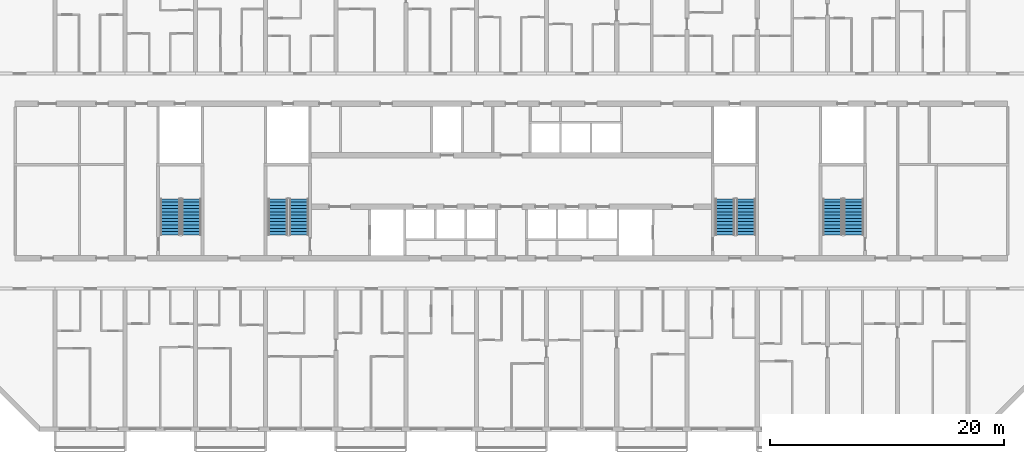
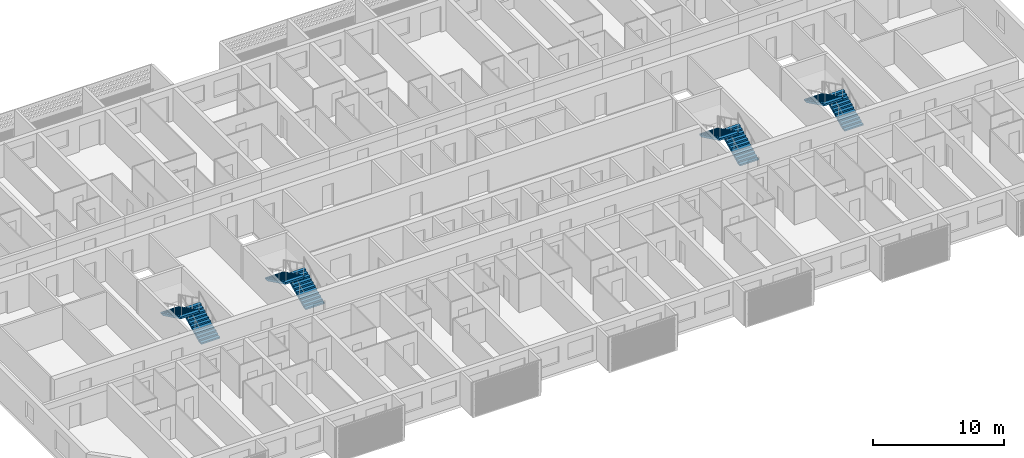
# One storey, part 17 of 28: 8 stair flights, 4 elements without a shape of their own.
"""IFC4 building model written with IfcOpenShell, lengths in metres."""

from ifc_helpers import new_model, si_unit, direction, frame, origin, place, context, subcontext, project, spatial, polyline, outline, extrude, material, layer, layer_set, type_object, element, aggregate, save


model = new_model("IFC4")

# Units and contexts
model_context = context("Model", 3, precision=1e-05, world=origin(), true_north=direction((0.0, 1.0)))
body_context = subcontext(model_context, "Body", "Model", "MODEL_VIEW")
ifc_project = project(units=[si_unit("LENGTHUNIT", "METRE"), si_unit("AREAUNIT", "SQUARE_METRE"), si_unit("VOLUMEUNIT", "CUBIC_METRE"), si_unit("PLANEANGLEUNIT", "RADIAN"), si_unit("MASSUNIT", "GRAM", prefix="KILO")], contexts=[model_context])

# Site, building, storey
site_placement = place(None, origin())
site = spatial("IfcSite", under=ifc_project, at=site_placement, CompositionType="ELEMENT")
building_placement = place(site_placement, origin())
building = spatial("IfcBuilding", under=site, at=building_placement, Name="Poui Terraces", CompositionType="ELEMENT")
storey_placement = place(building_placement, frame((0.0, 0.0, 72.89990234375)))
storey = spatial("IfcBuildingStorey", under=building, at=storey_placement, Name="L19", CompositionType="ELEMENT", Elevation=72.89990234375)

# Stair, stair flights
ifc_material = material(Name="Concrete 65 MPa", Category="concrete")
stair_type = type_object("IfcStairType", Name="EXIT STAIR 1650 65 MPA", PredefinedType="HALF_TURN_STAIR", material=ifc_material)
stair_1_placement = place(storey_placement, origin())
stair_1 = element("IfcStair", 1, at=stair_1_placement, inside=storey, type_object=stair_type, Name="L19 CORE STAIR EAST", PredefinedType="HALF_TURN_STAIR")
ifc_layer = layer(ifc_material, 0.14990234375)
ifc_layer_set = layer_set([ifc_layer], Name="Concrete 65 MPa")
stair_flight_type = type_object("IfcStairFlightType", Name="STAIR FLIGHT 12 RISERS 138 RISE 65 MPA", PredefinedType="STRAIGHT", material=ifc_layer_set)
stair_flight_1_placement = place(storey_placement, frame((71.050048828125, 16.60009765625, 0.0), z_axis=(0.0, 0.0, 1.0), x_axis=(0.0, 1.0, 0.0)))
stair_flight_1 = element("IfcStairFlight", 2, at=stair_flight_1_placement, type_object=stair_flight_type, Name="ST-CE flight 1", NumberOfRisers=12, NumberOfTreads=11, PredefinedType="STRAIGHT", RiserHeight=0.1375, TreadLength=0.28, context=body_context, shape_type="SweptSolid", body=[
    extrude(outline(polyline([(0.0, 0.0), (0.0, 0.137451171875), (0.280029296875, 0.137451171875), (0.280029296875, 0.27490234375), (0.56005859375, 0.27490234375), (0.56005859375, 0.41259765625), (0.840087890625, 0.41259765625), (0.840087890625, 0.550048828125), (1.1201171875, 0.550048828125), (1.1201171875, 0.6875), (1.39990234375, 0.6875), (1.39990234375, 0.824951171875), (1.679931640625, 0.824951171875), (1.679931640625, 0.96240234375), (1.9599609375, 0.96240234375), (1.9599609375, 1.10009765625), (2.239990234375, 1.10009765625), (2.239990234375, 1.237548828125), (2.52001953125, 1.237548828125), (2.52001953125, 1.375), (2.800048828125, 1.375), (2.800048828125, 1.512451171875), (3.080078125, 1.512451171875), (3.080078125, 1.64990234375), (3.080078125, 1.345458984375), (0.340087890625, 0.0), (0.0, 0.0)])), frame((0.0, 0.824951171875, 0.0), z_axis=(0.0, -1.0, 0.0), x_axis=(1.0, 0.0, 0.0)), (0.0, 0.0, 1.0), 1.64990234375),
])
stair_flight_2_placement = place(storey_placement, frame((69.25, 19.679931640625, 1.650146484375), z_axis=(0.0, 0.0, 1.0), x_axis=(0.0, -1.0, 0.0)))
stair_flight_2 = element("IfcStairFlight", 3, at=stair_flight_2_placement, type_object=stair_flight_type, Name="ST-CE flight 2", NumberOfRisers=12, NumberOfTreads=11, PredefinedType="STRAIGHT", RiserHeight=0.1375, TreadLength=0.28, context=body_context, shape_type="SweptSolid", body=[
    extrude(outline(polyline([(0.0, 0.0), (0.0, 0.137451171875), (0.280029296875, 0.137451171875), (0.280029296875, 0.27490234375), (0.56005859375, 0.27490234375), (0.56005859375, 0.41259765625), (0.840087890625, 0.41259765625), (0.840087890625, 0.550048828125), (1.1201171875, 0.550048828125), (1.1201171875, 0.6875), (1.39990234375, 0.6875), (1.39990234375, 0.824951171875), (1.679931640625, 0.824951171875), (1.679931640625, 0.96240234375), (1.9599609375, 0.96240234375), (1.9599609375, 1.10009765625), (2.239990234375, 1.10009765625), (2.239990234375, 1.237548828125), (2.52001953125, 1.237548828125), (2.52001953125, 1.375), (2.800048828125, 1.375), (2.800048828125, 1.512451171875), (3.080078125, 1.512451171875), (3.080078125, 1.64990234375), (3.080078125, 1.345458984375), (0.340087890625, 0.0), (0.0, 0.0)])), frame((0.0, 0.824951171875, 0.0), z_axis=(0.0, -1.0, 0.0), x_axis=(1.0, 0.0, 0.0)), (0.0, 0.0, 1.0), 1.64990234375),
])
aggregate(stair_1, [stair_flight_1, stair_flight_2])

stair_2_placement = place(storey_placement, origin())
stair_2 = element("IfcStair", 4, at=stair_2_placement, inside=storey, type_object=stair_type, Name="L19 CORE STAIR WEST", PredefinedType="HALF_TURN_STAIR")
stair_flight_3_placement = place(storey_placement, frame((32.85009765625, 16.60009765625, 0.0), z_axis=(0.0, 0.0, 1.0), x_axis=(0.0, 1.0, 0.0)))
stair_flight_3 = element("IfcStairFlight", 5, at=stair_flight_3_placement, type_object=stair_flight_type, Name="ST-CW flight 1", NumberOfRisers=12, NumberOfTreads=11, PredefinedType="STRAIGHT", RiserHeight=0.1375, TreadLength=0.28, context=body_context, shape_type="SweptSolid", body=[
    extrude(outline(polyline([(0.0, 0.0), (0.0, 0.137451171875), (0.280029296875, 0.137451171875), (0.280029296875, 0.27490234375), (0.56005859375, 0.27490234375), (0.56005859375, 0.41259765625), (0.840087890625, 0.41259765625), (0.840087890625, 0.550048828125), (1.1201171875, 0.550048828125), (1.1201171875, 0.6875), (1.39990234375, 0.6875), (1.39990234375, 0.824951171875), (1.679931640625, 0.824951171875), (1.679931640625, 0.96240234375), (1.9599609375, 0.96240234375), (1.9599609375, 1.10009765625), (2.239990234375, 1.10009765625), (2.239990234375, 1.237548828125), (2.52001953125, 1.237548828125), (2.52001953125, 1.375), (2.800048828125, 1.375), (2.800048828125, 1.512451171875), (3.080078125, 1.512451171875), (3.080078125, 1.64990234375), (3.080078125, 1.345458984375), (0.340087890625, 0.0), (0.0, 0.0)])), frame((0.0, 0.824951171875, 0.0), z_axis=(0.0, -1.0, 0.0), x_axis=(1.0, 0.0, 0.0)), (0.0, 0.0, 1.0), 1.64990234375),
])
stair_flight_4_placement = place(storey_placement, frame((31.050048828125, 19.679931640625, 1.650146484375), z_axis=(0.0, 0.0, 1.0), x_axis=(0.0, -1.0, 0.0)))
stair_flight_4 = element("IfcStairFlight", 6, at=stair_flight_4_placement, type_object=stair_flight_type, Name="ST-CW flight 2", NumberOfRisers=12, NumberOfTreads=11, PredefinedType="STRAIGHT", RiserHeight=0.1375, TreadLength=0.28, context=body_context, shape_type="SweptSolid", body=[
    extrude(outline(polyline([(0.0, 0.0), (0.0, 0.137451171875), (0.280029296875, 0.137451171875), (0.280029296875, 0.27490234375), (0.56005859375, 0.27490234375), (0.56005859375, 0.41259765625), (0.840087890625, 0.41259765625), (0.840087890625, 0.550048828125), (1.1201171875, 0.550048828125), (1.1201171875, 0.6875), (1.39990234375, 0.6875), (1.39990234375, 0.824951171875), (1.679931640625, 0.824951171875), (1.679931640625, 0.96240234375), (1.9599609375, 0.96240234375), (1.9599609375, 1.10009765625), (2.239990234375, 1.10009765625), (2.239990234375, 1.237548828125), (2.52001953125, 1.237548828125), (2.52001953125, 1.375), (2.800048828125, 1.375), (2.800048828125, 1.512451171875), (3.080078125, 1.512451171875), (3.080078125, 1.64990234375), (3.080078125, 1.345458984375), (0.340087890625, 0.0), (0.0, 0.0)])), frame((0.0, 0.824951171875, 0.0), z_axis=(0.0, -1.0, 0.0), x_axis=(1.0, 0.0, 0.0)), (0.0, 0.0, 1.0), 1.64990234375),
])
aggregate(stair_2, [stair_flight_3, stair_flight_4])

stair_3_placement = place(storey_placement, origin())
stair_3 = element("IfcStair", 7, at=stair_3_placement, inside=storey, type_object=stair_type, Name="L19 TIP STAIR EAST", PredefinedType="HALF_TURN_STAIR")
stair_flight_5_placement = place(storey_placement, frame((80.25, 16.60009765625, 0.0), z_axis=(0.0, 0.0, 1.0), x_axis=(0.0, 1.0, 0.0)))
stair_flight_5 = element("IfcStairFlight", 8, at=stair_flight_5_placement, type_object=stair_flight_type, Name="ST-E flight 1", NumberOfRisers=12, NumberOfTreads=11, PredefinedType="STRAIGHT", RiserHeight=0.1375, TreadLength=0.28, context=body_context, shape_type="SweptSolid", body=[
    extrude(outline(polyline([(0.0, 0.0), (0.0, 0.137451171875), (0.280029296875, 0.137451171875), (0.280029296875, 0.27490234375), (0.56005859375, 0.27490234375), (0.56005859375, 0.41259765625), (0.840087890625, 0.41259765625), (0.840087890625, 0.550048828125), (1.1201171875, 0.550048828125), (1.1201171875, 0.6875), (1.39990234375, 0.6875), (1.39990234375, 0.824951171875), (1.679931640625, 0.824951171875), (1.679931640625, 0.96240234375), (1.9599609375, 0.96240234375), (1.9599609375, 1.10009765625), (2.239990234375, 1.10009765625), (2.239990234375, 1.237548828125), (2.52001953125, 1.237548828125), (2.52001953125, 1.375), (2.800048828125, 1.375), (2.800048828125, 1.512451171875), (3.080078125, 1.512451171875), (3.080078125, 1.64990234375), (3.080078125, 1.345458984375), (0.340087890625, 0.0), (0.0, 0.0)])), frame((0.0, 0.824951171875, 0.0), z_axis=(0.0, -1.0, 0.0), x_axis=(1.0, 0.0, 0.0)), (0.0, 0.0, 1.0), 1.64990234375),
])
stair_flight_6_placement = place(storey_placement, frame((78.449951171875, 19.679931640625, 1.650146484375), z_axis=(0.0, 0.0, 1.0), x_axis=(0.0, -1.0, 0.0)))
stair_flight_6 = element("IfcStairFlight", 9, at=stair_flight_6_placement, type_object=stair_flight_type, Name="ST-E flight 2", NumberOfRisers=12, NumberOfTreads=11, PredefinedType="STRAIGHT", RiserHeight=0.1375, TreadLength=0.28, context=body_context, shape_type="SweptSolid", body=[
    extrude(outline(polyline([(0.0, 0.0), (0.0, 0.137451171875), (0.280029296875, 0.137451171875), (0.280029296875, 0.27490234375), (0.56005859375, 0.27490234375), (0.56005859375, 0.41259765625), (0.840087890625, 0.41259765625), (0.840087890625, 0.550048828125), (1.1201171875, 0.550048828125), (1.1201171875, 0.6875), (1.39990234375, 0.6875), (1.39990234375, 0.824951171875), (1.679931640625, 0.824951171875), (1.679931640625, 0.96240234375), (1.9599609375, 0.96240234375), (1.9599609375, 1.10009765625), (2.239990234375, 1.10009765625), (2.239990234375, 1.237548828125), (2.52001953125, 1.237548828125), (2.52001953125, 1.375), (2.800048828125, 1.375), (2.800048828125, 1.512451171875), (3.080078125, 1.512451171875), (3.080078125, 1.64990234375), (3.080078125, 1.345458984375), (0.340087890625, 0.0), (0.0, 0.0)])), frame((0.0, 0.824951171875, 0.0), z_axis=(0.0, -1.0, 0.0), x_axis=(1.0, 0.0, 0.0)), (0.0, 0.0, 1.0), 1.64990234375),
])
aggregate(stair_3, [stair_flight_5, stair_flight_6])

stair_4_placement = place(storey_placement, origin())
stair_4 = element("IfcStair", 10, at=stair_4_placement, inside=storey, type_object=stair_type, Name="L19 TIP STAIR WEST", PredefinedType="HALF_TURN_STAIR")
stair_flight_7_placement = place(storey_placement, frame((23.64990234375, 16.60009765625, 0.0), z_axis=(0.0, 0.0, 1.0), x_axis=(0.0, 1.0, 0.0)))
stair_flight_7 = element("IfcStairFlight", 11, at=stair_flight_7_placement, type_object=stair_flight_type, Name="ST-W flight 1", NumberOfRisers=12, NumberOfTreads=11, PredefinedType="STRAIGHT", RiserHeight=0.1375, TreadLength=0.28, context=body_context, shape_type="SweptSolid", body=[
    extrude(outline(polyline([(0.0, 0.0), (0.0, 0.137451171875), (0.280029296875, 0.137451171875), (0.280029296875, 0.27490234375), (0.56005859375, 0.27490234375), (0.56005859375, 0.41259765625), (0.840087890625, 0.41259765625), (0.840087890625, 0.550048828125), (1.1201171875, 0.550048828125), (1.1201171875, 0.6875), (1.39990234375, 0.6875), (1.39990234375, 0.824951171875), (1.679931640625, 0.824951171875), (1.679931640625, 0.96240234375), (1.9599609375, 0.96240234375), (1.9599609375, 1.10009765625), (2.239990234375, 1.10009765625), (2.239990234375, 1.237548828125), (2.52001953125, 1.237548828125), (2.52001953125, 1.375), (2.800048828125, 1.375), (2.800048828125, 1.512451171875), (3.080078125, 1.512451171875), (3.080078125, 1.64990234375), (3.080078125, 1.345458984375), (0.340087890625, 0.0), (0.0, 0.0)])), frame((0.0, 0.824951171875, 0.0), z_axis=(0.0, -1.0, 0.0), x_axis=(1.0, 0.0, 0.0)), (0.0, 0.0, 1.0), 1.64990234375),
])
stair_flight_8_placement = place(storey_placement, frame((21.85009765625, 19.679931640625, 1.650146484375), z_axis=(0.0, 0.0, 1.0), x_axis=(0.0, -1.0, 0.0)))
stair_flight_8 = element("IfcStairFlight", 12, at=stair_flight_8_placement, type_object=stair_flight_type, Name="ST-W flight 2", NumberOfRisers=12, NumberOfTreads=11, PredefinedType="STRAIGHT", RiserHeight=0.1375, TreadLength=0.28, context=body_context, shape_type="SweptSolid", body=[
    extrude(outline(polyline([(0.0, 0.0), (0.0, 0.137451171875), (0.280029296875, 0.137451171875), (0.280029296875, 0.27490234375), (0.56005859375, 0.27490234375), (0.56005859375, 0.41259765625), (0.840087890625, 0.41259765625), (0.840087890625, 0.550048828125), (1.1201171875, 0.550048828125), (1.1201171875, 0.6875), (1.39990234375, 0.6875), (1.39990234375, 0.824951171875), (1.679931640625, 0.824951171875), (1.679931640625, 0.96240234375), (1.9599609375, 0.96240234375), (1.9599609375, 1.10009765625), (2.239990234375, 1.10009765625), (2.239990234375, 1.237548828125), (2.52001953125, 1.237548828125), (2.52001953125, 1.375), (2.800048828125, 1.375), (2.800048828125, 1.512451171875), (3.080078125, 1.512451171875), (3.080078125, 1.64990234375), (3.080078125, 1.345458984375), (0.340087890625, 0.0), (0.0, 0.0)])), frame((0.0, 0.824951171875, 0.0), z_axis=(0.0, -1.0, 0.0), x_axis=(1.0, 0.0, 0.0)), (0.0, 0.0, 1.0), 1.64990234375),
])
aggregate(stair_4, [stair_flight_7, stair_flight_8])

save(model, "model.ifc")
